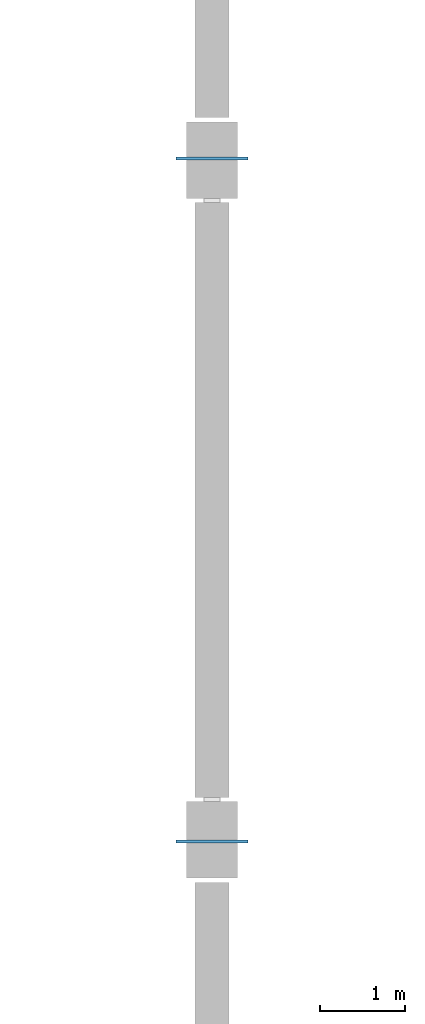
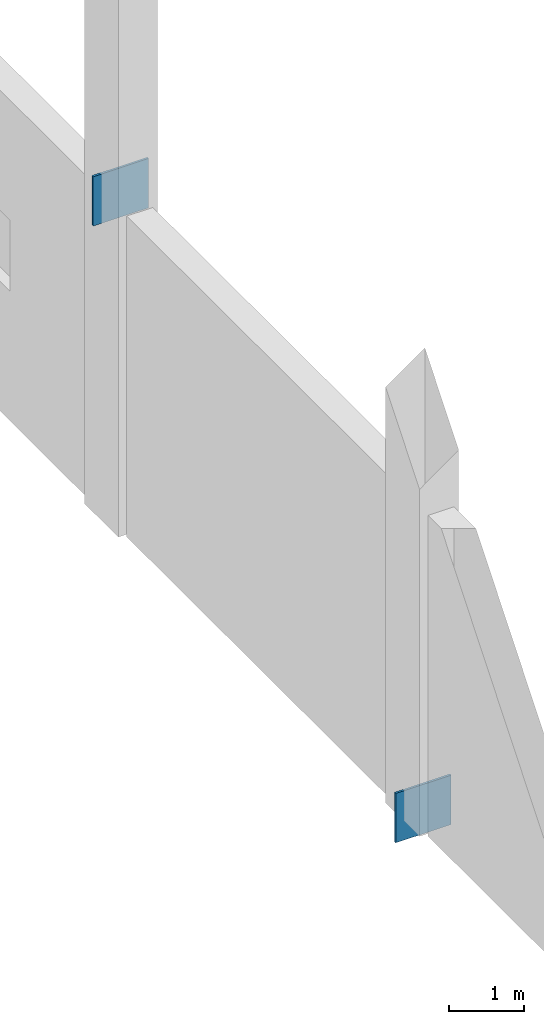
# One storey, part 59 of 84: 2 plates.
"""IFC4 building model written with IfcOpenShell, lengths in metres."""

import ifcopenshell
import ifcopenshell.guid

model = None  # the IFC model being written
_history = None  # IfcOwnerHistory: only IFC2X3 demands one
_inside = {}  # id of a spatial element -> (the spatial element, [elements in it])
_under = {}  # id of a project, library or spatial element -> (it, [spatial elements below it])
_declared = {}  # id of a project -> (the project, [libraries it declares])
_typed = {}  # id of a type object -> (the type object, [elements of that type])
_made_of = {}  # id of a material, layer set ... -> (it, [elements and type objects made of it])


def new_model(schema):
    """Start an empty IFC model of exactly this schema.

    Asked for "IFC4X3", IfcOpenShell would pick the latest addendum, in which some entities
    have other attributes; the version numbers below select the first issue.
    IFC2X3 requires an IfcOwnerHistory on every rooted entity: one is made here for all.
    """
    global model, _history
    if schema == "IFC4X3":
        model = ifcopenshell.file(schema_version=(4, 3, 0, 0))
    else:
        model = ifcopenshell.file(schema=schema)
    _inside.clear()
    _under.clear()
    _declared.clear()
    _typed.clear()
    _made_of.clear()
    _history = None
    if model.schema == "IFC2X3":
        org = make("IfcOrganization", Name="unknown")
        user = make(
            "IfcPersonAndOrganization",
            ThePerson=make("IfcPerson", FamilyName="unknown"),
            TheOrganization=org,
        )
        app = make(
            "IfcApplication",
            ApplicationDeveloper=org,
            Version="unknown",
            ApplicationFullName="unknown",
            ApplicationIdentifier="unknown",
        )
        _history = make(
            "IfcOwnerHistory",
            OwningUser=user,
            OwningApplication=app,
            ChangeAction="ADDED",
            CreationDate=0,
        )
    return model


def make(cls, **values):
    """One entity of the class cls with the attributes given. An attribute that is None is left unset."""
    return model.create_entity(
        cls, **{name: value for name, value in values.items() if value is not None}
    )


def rooted(cls, **values):
    """An entity with a GlobalId (a new one), such as an element, a storey or a relation."""
    return make(cls, GlobalId=ifcopenshell.guid.new(), OwnerHistory=_history, **values)


def si_unit(unit_type, name, prefix=None):
    """IfcSIUnit, for example si_unit("LENGTHUNIT", "METRE", prefix="MILLI")."""
    return make("IfcSIUnit", UnitType=unit_type, Prefix=prefix, Name=name)


def assignment(units):
    """IfcUnitAssignment: the units of a project."""
    return None if units is None else make("IfcUnitAssignment", Units=units)


def point(xyz):
    """IfcCartesianPoint."""
    return None if xyz is None else make("IfcCartesianPoint", Coordinates=xyz)


def direction(xyz):
    """IfcDirection."""
    return None if xyz is None else make("IfcDirection", DirectionRatios=xyz)


def frame(location, z_axis=None, x_axis=None):
    """IfcAxis2Placement3D, a coordinate frame: its origin and axes. An axis left out is left unset."""
    return make(
        "IfcAxis2Placement3D",
        Location=point(location),
        Axis=direction(z_axis),
        RefDirection=direction(x_axis),
    )


def frame_2d(location, x_axis=None):
    """IfcAxis2Placement2D, a coordinate frame in the plane: its origin and x axis."""
    return make(
        "IfcAxis2Placement2D", Location=point(location), RefDirection=direction(x_axis)
    )


def origin():
    """The frame at (0, 0, 0) with its axes left unset."""
    return frame((0.0, 0.0, 0.0))


def origin_2d():
    """The frame at (0, 0) in the plane with its x axis left unset."""
    return frame_2d((0.0, 0.0))


def place(relative_to, where):
    """IfcLocalPlacement: puts the frame where relative to a parent placement (None: the world)."""
    return make(
        "IfcLocalPlacement", PlacementRelTo=relative_to, RelativePlacement=where
    )


def context(
    kind, dimensions, precision=None, world=None, true_north=None, identifier=None
):
    """IfcGeometricRepresentationContext, for example the 3D "Model" context."""
    return make(
        "IfcGeometricRepresentationContext",
        ContextIdentifier=identifier,
        ContextType=kind,
        CoordinateSpaceDimension=dimensions,
        Precision=precision,
        WorldCoordinateSystem=world,
        TrueNorth=true_north,
    )


def subcontext(parent, identifier, kind, view, scale=None):
    """IfcGeometricRepresentationSubContext, for example "Body" below "Model"."""
    return make(
        "IfcGeometricRepresentationSubContext",
        ContextIdentifier=identifier,
        ContextType=kind,
        ParentContext=parent,
        TargetScale=scale,
        TargetView=view,
    )


def project(units=None, contexts=None):
    """IfcProject with its units and contexts."""
    return rooted(
        "IfcProject",
        Name="project",
        RepresentationContexts=contexts,
        UnitsInContext=assignment(units),
    )


def spatial(cls, under=None, at=None, **own):
    """A site, building, storey or space (cls), placed at a placement, below another one or the project."""
    s = rooted(cls, ObjectPlacement=at, **own)
    if under is not None:
        _under.setdefault(under.id(), (under, []))[1].append(s)
    return s


def profile(cls, at=None, kind="AREA", **sizes):
    """A parametric profile (cls). Its sizes go by their IFC names, for example OverallWidth=200.0."""
    return make(cls, ProfileType=kind, Position=at, **sizes)


def rectangle(**sizes):
    """IfcRectangleProfileDef."""
    return profile("IfcRectangleProfileDef", **sizes)


def extrude(swept, where, along, depth):
    """IfcExtrudedAreaSolid: the profile swept, set in the frame where, extruded along a direction by depth."""
    return make(
        "IfcExtrudedAreaSolid",
        SweptArea=swept,
        Position=where,
        ExtrudedDirection=direction(along),
        Depth=depth,
    )


def shape(context_of_items, identifier, shape_type, items):
    """IfcShapeRepresentation: the items that make up one representation, for example the "Body"."""
    return make(
        "IfcShapeRepresentation",
        ContextOfItems=context_of_items,
        RepresentationIdentifier=identifier,
        RepresentationType=shape_type,
        Items=items,
    )


def material(Name=None, Category=None):
    """IfcMaterial."""
    return make("IfcMaterial", Name=Name, Category=Category)


def layer(
    of_material, thickness, ventilated=None, Name=None, Category=None, Priority=None
):
    """IfcMaterialLayer: one layer of a wall or slab, of a material (None: an air gap)."""
    return make(
        "IfcMaterialLayer",
        Material=of_material,
        LayerThickness=thickness,
        IsVentilated=ventilated,
        Name=Name,
        Category=Category,
        Priority=Priority,
    )


def layer_set(layers, Name=None):
    """IfcMaterialLayerSet."""
    return make("IfcMaterialLayerSet", MaterialLayers=layers, LayerSetName=Name)


def made_of(thing, what):
    """Note that an element or type object is made of a material, layer set ...; save() writes the relation."""
    if what is not None:
        _made_of.setdefault(what.id(), (what, []))[1].append(thing)
    return thing


def type_object(cls, material=None, **own):
    """A type object (cls), such as IfcWallType, which elements share."""
    return made_of(rooted(cls, **own), material)


def element(
    cls,
    number,
    at=None,
    inside=None,
    cuts=None,
    type_object=None,
    material=None,
    context=None,
    identifier="Body",
    shape_type=None,
    held_by="IfcProductDefinitionShape",
    body=None,
    shapes=None,
    **own,
):
    """One element of the class cls, such as IfcWall. Its Tag is "e" and its number.

    at: its placement. inside: the storey or other place that contains it. cuts: it is an
    opening in that element (IfcRelVoidsElement). A single representation is given by context,
    identifier, shape_type and body (its items); several are given by shapes. held_by: the class
    of the entity that holds the representations. save() writes the other relations.
    """
    e = rooted(cls, Tag="e%d" % number, ObjectPlacement=at, **own)
    if body is not None:
        shapes = [shape(context, identifier, shape_type, body)]
    if shapes is not None:
        e.Representation = make(held_by, Representations=shapes)
    if inside is not None:
        _inside.setdefault(inside.id(), (inside, []))[1].append(e)
    if cuts is not None:
        rooted(
            "IfcRelVoidsElement", RelatingBuildingElement=cuts, RelatedOpeningElement=e
        )
    if type_object is not None:
        _typed.setdefault(type_object.id(), (type_object, []))[1].append(e)
    return made_of(e, material)


def aggregate(whole, parts):
    """IfcRelAggregates: a whole, such as a stair, and the parts it consists of."""
    return rooted("IfcRelAggregates", RelatingObject=whole, RelatedObjects=parts)


def save(model, path):
    """Write the relations noted so far, then the file.

    IfcRelAggregates (storeys below a building ...), IfcRelContainedInSpatialStructure (elements
    in a storey), IfcRelDefinesByType, IfcRelAssociatesMaterial and IfcRelDeclares: one each for
    every whole, place, type object, material and project.
    """
    for whole, parts in _under.values():
        aggregate(whole, parts)
    for where, things in _inside.values():
        rooted(
            "IfcRelContainedInSpatialStructure",
            RelatedElements=things,
            RelatingStructure=where,
        )
    for kind, things in _typed.values():
        rooted("IfcRelDefinesByType", RelatedObjects=things, RelatingType=kind)
    for what, things in _made_of.values():
        rooted("IfcRelAssociatesMaterial", RelatedObjects=things, RelatingMaterial=what)
    for by, libraries in _declared.values():
        rooted("IfcRelDeclares", RelatingContext=by, RelatedDefinitions=libraries)
    model.write(path)


model = new_model("IFC4")

# Units and contexts
model_context = context("Model", 3, precision=1e-05, world=origin(), true_north=direction((0.0, 1.0)))
body_context = subcontext(model_context, "Body", "Model", "MODEL_VIEW")
ifc_project = project(units=[si_unit("LENGTHUNIT", "METRE"), si_unit("AREAUNIT", "SQUARE_METRE"), si_unit("VOLUMEUNIT", "CUBIC_METRE"), si_unit("PLANEANGLEUNIT", "RADIAN"), si_unit("MASSUNIT", "GRAM", prefix="KILO")], contexts=[model_context])

# Site, building, storey
site_placement = place(None, origin())
site = spatial("IfcSite", under=ifc_project, at=site_placement, CompositionType="ELEMENT")
building_placement = place(site_placement, origin())
building = spatial("IfcBuilding", under=site, at=building_placement, Name="Tlacozan Convention Centre", CompositionType="ELEMENT")
storey_placement = place(building_placement, frame((0.0, 0.0, 6.0)))
storey = spatial("IfcBuildingStorey", under=building, at=storey_placement, Name="L01", CompositionType="ELEMENT", Elevation=6.0)

# Plates
ifc_material = material(Name="Steel ASTM A572 Grade 50", Category="steel")
ifc_layer = layer(ifc_material, 0.034912109375)
ifc_layer_set = layer_set([ifc_layer], Name="Steel ASTM A572 Grade 50")
plate_type = type_object("IfcPlateType", Name="Arch Crown Splice Gusset Plate", PredefinedType="SHEET", material=ifc_layer_set)
for number, where, z_axis, x_axis, name in (
    (1, (168.0, 69.98193359375, -0.3115234375), (0.0, 0.0, 1.0), (0.0, 1.0, 0.0), "L01 Gusset Cap Plate 967"),
    (2, (168.0, 78.01806640625, 4.8115234375), (0.0, 0.0, 1.0), (0.0, 1.0, 0.0), "L01 Gusset Cap Plate 968"),
):
    element("IfcPlate", number, at=place(storey_placement, frame(where, z_axis=z_axis, x_axis=x_axis)), inside=storey, type_object=plate_type, Name=name, PredefinedType="SHEET", context=body_context, shape_type="SweptSolid", body=[
        extrude(rectangle(XDim=0.034912109375, YDim=0.85009765625, at=origin_2d()), origin(), (0.0, 0.0, 1.0), 0.800048828125),
    ])

save(model, "model.ifc")
